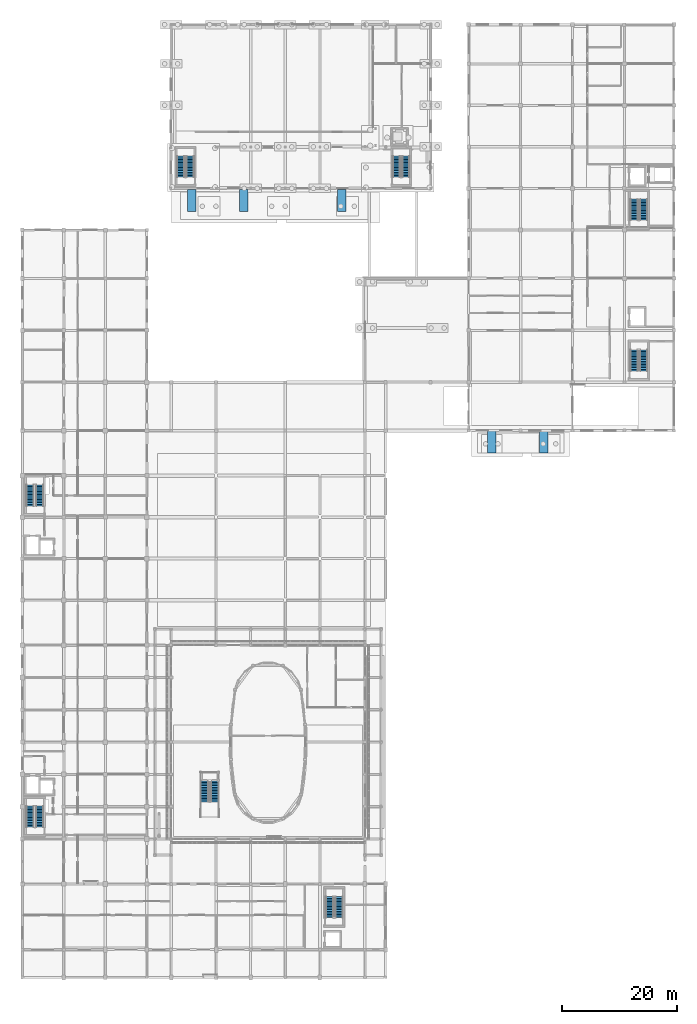
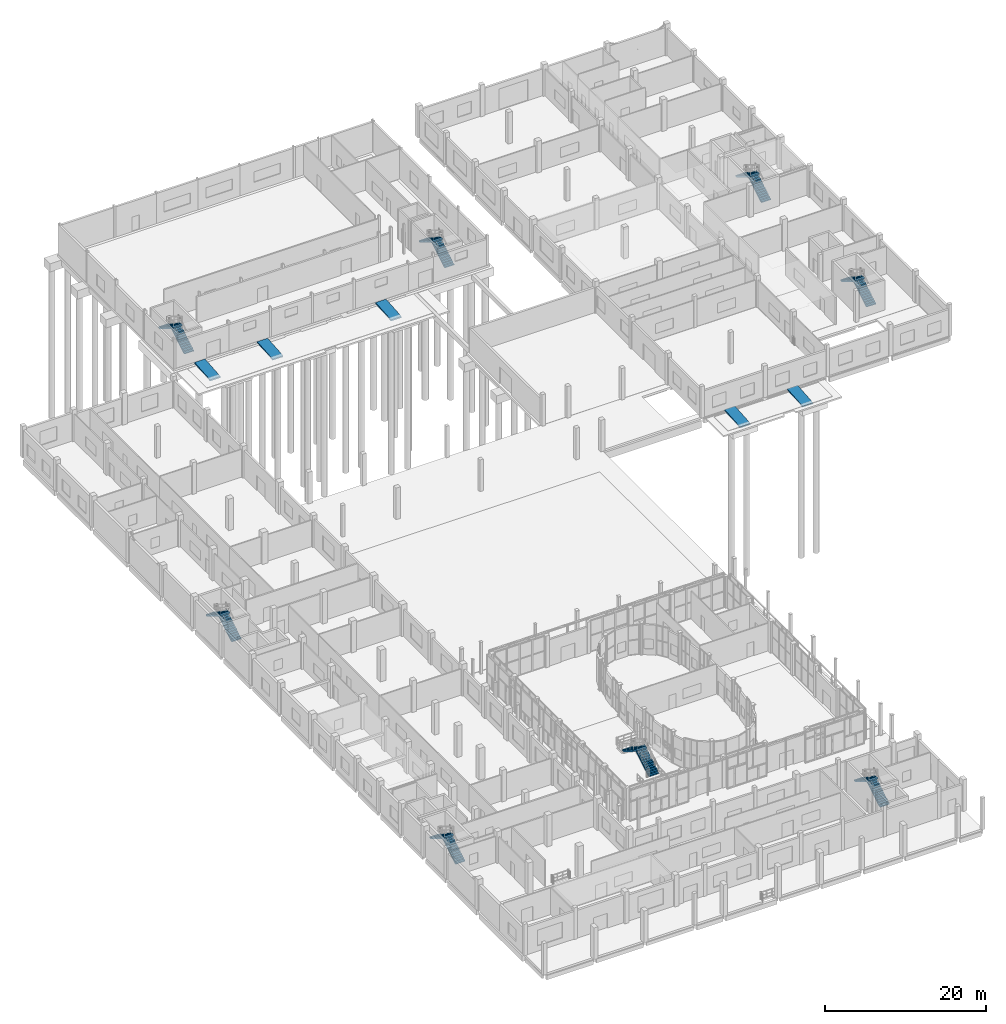
# One storey, part 79 of 91: 16 stair flights, 5 ramp flights, 13 elements without a shape of their own.
"""IFC4 building model written with IfcOpenShell, lengths in metres."""

from ifc_helpers import new_model, si_unit, direction, frame, origin, place, context, subcontext, project, spatial, polyline, outline, extrude, material, layer, layer_set, type_object, element, aggregate, save


model = new_model("IFC4")

# Units and contexts
model_context = context("Model", 3, precision=1e-05, world=origin(), true_north=direction((0.0, 1.0)))
body_context = subcontext(model_context, "Body", "Model", "MODEL_VIEW")
ifc_project = project(units=[si_unit("LENGTHUNIT", "METRE"), si_unit("AREAUNIT", "SQUARE_METRE"), si_unit("VOLUMEUNIT", "CUBIC_METRE"), si_unit("PLANEANGLEUNIT", "RADIAN"), si_unit("MASSUNIT", "GRAM", prefix="KILO")], contexts=[model_context])

# Site, building, storey
site_placement = place(None, origin())
site = spatial("IfcSite", under=ifc_project, at=site_placement, CompositionType="ELEMENT")
building_placement = place(site_placement, origin())
building = spatial("IfcBuilding", under=site, at=building_placement, Name="Vinh Khe Railworks Police Headquarters", CompositionType="ELEMENT")
storey_placement = place(building_placement, origin())
storey = spatial("IfcBuildingStorey", under=building, at=storey_placement, Name="L00", CompositionType="ELEMENT", Elevation=0.0)

# Stair, stair flights
ifc_material_1 = material(Name="Precast concrete C40/50 (B40)", Category="concrete")
stair_type_1 = type_object("IfcStairType", Name="ST-CORE-DOGLEG", PredefinedType="HALF_TURN_STAIR", material=ifc_material_1)
stair_1_placement = place(storey_placement, origin())
stair_1 = element("IfcStair", 1, at=stair_1_placement, inside=storey, type_object=stair_type_1, Name="L00 Escape Stair ST-01", PredefinedType="HALF_TURN_STAIR")
stair_flight_type_1 = type_object("IfcStairFlightType", Name="STF-PRECAST-1350", PredefinedType="STRAIGHT", material=ifc_material_1)
stair_flight_1_placement = place(storey_placement, frame((3.625, 27.25, 0.0), z_axis=(0.0, 0.0, 1.0), x_axis=(0.0, 1.0, 0.0)))
stair_flight_1 = element("IfcStairFlight", 2, at=stair_flight_1_placement, type_object=stair_flight_type_1, Name="ST-01 flight 1", NumberOfRisers=14, NumberOfTreads=13, PredefinedType="STRAIGHT", RiserHeight=0.171428571, TreadLength=0.28, context=body_context, shape_type="SweptSolid", body=[
    extrude(outline(polyline([(0.0, 0.0), (0.0, 0.17138671875), (0.280029296875, 0.17138671875), (0.280029296875, 0.3427734375), (0.56005859375, 0.3427734375), (0.56005859375, 0.514404296875), (0.840087890625, 0.514404296875), (0.840087890625, 0.685791015625), (1.1201171875, 0.685791015625), (1.1201171875, 0.857177734375), (1.39990234375, 0.857177734375), (1.39990234375, 1.028564453125), (1.679931640625, 1.028564453125), (1.679931640625, 1.199951171875), (1.9599609375, 1.199951171875), (1.9599609375, 1.371337890625), (2.239990234375, 1.371337890625), (2.239990234375, 1.54296875), (2.52001953125, 1.54296875), (2.52001953125, 1.71435546875), (2.800048828125, 1.71435546875), (2.800048828125, 1.8857421875), (3.080078125, 1.8857421875), (3.080078125, 2.05712890625), (3.360107421875, 2.05712890625), (3.360107421875, 2.228515625), (3.639892578125, 2.228515625), (3.639892578125, 2.39990234375), (3.639892578125, 2.052734375), (0.287109375, 0.0), (0.0, 0.0)])), frame((0.0, 0.675048828125, 0.0), z_axis=(0.0, -1.0, 0.0), x_axis=(1.0, 0.0, 0.0)), (0.0, 0.0, 1.0), 1.35009765625),
])
stair_flight_2_placement = place(storey_placement, frame((1.97509765625, 30.889892578125, 2.39990234375), z_axis=(0.0, 0.0, 1.0), x_axis=(0.0, -1.0, 0.0)))
stair_flight_2 = element("IfcStairFlight", 3, at=stair_flight_2_placement, type_object=stair_flight_type_1, Name="ST-01 flight 2", NumberOfRisers=14, NumberOfTreads=13, PredefinedType="STRAIGHT", RiserHeight=0.171428571, TreadLength=0.28, context=body_context, shape_type="SweptSolid", body=[
    extrude(outline(polyline([(0.0, 0.0), (0.0, 0.17138671875), (0.280029296875, 0.17138671875), (0.280029296875, 0.3427734375), (0.56005859375, 0.3427734375), (0.56005859375, 0.514404296875), (0.840087890625, 0.514404296875), (0.840087890625, 0.685791015625), (1.1201171875, 0.685791015625), (1.1201171875, 0.857177734375), (1.39990234375, 0.857177734375), (1.39990234375, 1.028564453125), (1.679931640625, 1.028564453125), (1.679931640625, 1.199951171875), (1.9599609375, 1.199951171875), (1.9599609375, 1.371337890625), (2.239990234375, 1.371337890625), (2.239990234375, 1.54296875), (2.52001953125, 1.54296875), (2.52001953125, 1.71435546875), (2.800048828125, 1.71435546875), (2.800048828125, 1.8857421875), (3.080078125, 1.8857421875), (3.080078125, 2.05712890625), (3.360107421875, 2.05712890625), (3.360107421875, 2.228515625), (3.639892578125, 2.228515625), (3.639892578125, 2.39990234375), (3.639892578125, 2.052734375), (0.287109375, 0.0), (0.0, 0.0)])), frame((0.0, 0.675048828125, 0.0), z_axis=(0.0, -1.0, 0.0), x_axis=(1.0, 0.0, 0.0)), (0.0, 0.0, 1.0), 1.35009765625),
])
aggregate(stair_1, [stair_flight_1, stair_flight_2])

stair_2_placement = place(storey_placement, origin())
stair_2 = element("IfcStair", 4, at=stair_2_placement, inside=storey, type_object=stair_type_1, Name="L00 Escape Stair ST-02", PredefinedType="HALF_TURN_STAIR")
stair_flight_3_placement = place(storey_placement, frame((3.625, 82.949951171875, 0.0), z_axis=(0.0, 0.0, 1.0), x_axis=(0.0, 1.0, 0.0)))
stair_flight_3 = element("IfcStairFlight", 5, at=stair_flight_3_placement, type_object=stair_flight_type_1, Name="ST-02 flight 1", NumberOfRisers=14, NumberOfTreads=13, PredefinedType="STRAIGHT", RiserHeight=0.171428571, TreadLength=0.28, context=body_context, shape_type="SweptSolid", body=[
    extrude(outline(polyline([(0.0, 0.0), (0.0, 0.17138671875), (0.280029296875, 0.17138671875), (0.280029296875, 0.3427734375), (0.56005859375, 0.3427734375), (0.56005859375, 0.514404296875), (0.840087890625, 0.514404296875), (0.840087890625, 0.685791015625), (1.1201171875, 0.685791015625), (1.1201171875, 0.857177734375), (1.39990234375, 0.857177734375), (1.39990234375, 1.028564453125), (1.679931640625, 1.028564453125), (1.679931640625, 1.199951171875), (1.9599609375, 1.199951171875), (1.9599609375, 1.371337890625), (2.239990234375, 1.371337890625), (2.239990234375, 1.54296875), (2.52001953125, 1.54296875), (2.52001953125, 1.71435546875), (2.800048828125, 1.71435546875), (2.800048828125, 1.8857421875), (3.080078125, 1.8857421875), (3.080078125, 2.05712890625), (3.360107421875, 2.05712890625), (3.360107421875, 2.228515625), (3.639892578125, 2.228515625), (3.639892578125, 2.39990234375), (3.639892578125, 2.052734375), (0.287109375, 0.0), (0.0, 0.0)])), frame((0.0, 0.675048828125, 0.0), z_axis=(0.0, -1.0, 0.0), x_axis=(1.0, 0.0, 0.0)), (0.0, 0.0, 1.0), 1.35009765625),
])
stair_flight_4_placement = place(storey_placement, frame((1.97509765625, 86.590087890625, 2.39990234375), z_axis=(0.0, 0.0, 1.0), x_axis=(0.0, -1.0, 0.0)))
stair_flight_4 = element("IfcStairFlight", 6, at=stair_flight_4_placement, type_object=stair_flight_type_1, Name="ST-02 flight 2", NumberOfRisers=14, NumberOfTreads=13, PredefinedType="STRAIGHT", RiserHeight=0.171428571, TreadLength=0.28, context=body_context, shape_type="SweptSolid", body=[
    extrude(outline(polyline([(0.0, 0.0), (0.0, 0.17138671875), (0.280029296875, 0.17138671875), (0.280029296875, 0.3427734375), (0.56005859375, 0.3427734375), (0.56005859375, 0.514404296875), (0.840087890625, 0.514404296875), (0.840087890625, 0.685791015625), (1.1201171875, 0.685791015625), (1.1201171875, 0.857177734375), (1.39990234375, 0.857177734375), (1.39990234375, 1.028564453125), (1.679931640625, 1.028564453125), (1.679931640625, 1.199951171875), (1.9599609375, 1.199951171875), (1.9599609375, 1.371337890625), (2.239990234375, 1.371337890625), (2.239990234375, 1.54296875), (2.52001953125, 1.54296875), (2.52001953125, 1.71435546875), (2.800048828125, 1.71435546875), (2.800048828125, 1.8857421875), (3.080078125, 1.8857421875), (3.080078125, 2.05712890625), (3.360107421875, 2.05712890625), (3.360107421875, 2.228515625), (3.639892578125, 2.228515625), (3.639892578125, 2.39990234375), (3.639892578125, 2.052734375), (0.287109375, 0.0), (0.0, 0.0)])), frame((0.0, 0.675048828125, 0.0), z_axis=(0.0, -1.0, 0.0), x_axis=(1.0, 0.0, 0.0)), (0.0, 0.0, 1.0), 1.35009765625),
])
aggregate(stair_2, [stair_flight_3, stair_flight_4])

stair_3_placement = place(storey_placement, origin())
stair_3 = element("IfcStair", 7, at=stair_3_placement, inside=storey, type_object=stair_type_1, Name="L00 Escape Stair ST-03", PredefinedType="HALF_TURN_STAIR")
stair_flight_5_placement = place(storey_placement, frame((108.324951171875, 132.5, 0.0), z_axis=(0.0, 0.0, 1.0), x_axis=(0.0, 1.0, 0.0)))
stair_flight_5 = element("IfcStairFlight", 8, at=stair_flight_5_placement, type_object=stair_flight_type_1, Name="ST-03 flight 1", NumberOfRisers=14, NumberOfTreads=13, PredefinedType="STRAIGHT", RiserHeight=0.171428571, TreadLength=0.28, context=body_context, shape_type="SweptSolid", body=[
    extrude(outline(polyline([(0.0, 0.0), (0.0, 0.17138671875), (0.280029296875, 0.17138671875), (0.280029296875, 0.3427734375), (0.56005859375, 0.3427734375), (0.56005859375, 0.514404296875), (0.840087890625, 0.514404296875), (0.840087890625, 0.685791015625), (1.1201171875, 0.685791015625), (1.1201171875, 0.857177734375), (1.39990234375, 0.857177734375), (1.39990234375, 1.028564453125), (1.679931640625, 1.028564453125), (1.679931640625, 1.199951171875), (1.9599609375, 1.199951171875), (1.9599609375, 1.371337890625), (2.239990234375, 1.371337890625), (2.239990234375, 1.54296875), (2.52001953125, 1.54296875), (2.52001953125, 1.71435546875), (2.800048828125, 1.71435546875), (2.800048828125, 1.8857421875), (3.080078125, 1.8857421875), (3.080078125, 2.05712890625), (3.360107421875, 2.05712890625), (3.360107421875, 2.228515625), (3.639892578125, 2.228515625), (3.639892578125, 2.39990234375), (3.639892578125, 2.052734375), (0.287109375, 0.0), (0.0, 0.0)])), frame((0.0, 0.675048828125, 0.0), z_axis=(0.0, -1.0, 0.0), x_axis=(1.0, 0.0, 0.0)), (0.0, 0.0, 1.0), 1.35009765625),
])
stair_flight_6_placement = place(storey_placement, frame((106.675048828125, 136.139892578125, 2.39990234375), z_axis=(0.0, 0.0, 1.0), x_axis=(0.0, -1.0, 0.0)))
stair_flight_6 = element("IfcStairFlight", 9, at=stair_flight_6_placement, type_object=stair_flight_type_1, Name="ST-03 flight 2", NumberOfRisers=14, NumberOfTreads=13, PredefinedType="STRAIGHT", RiserHeight=0.171428571, TreadLength=0.28, context=body_context, shape_type="SweptSolid", body=[
    extrude(outline(polyline([(0.0, 0.0), (0.0, 0.17138671875), (0.280029296875, 0.17138671875), (0.280029296875, 0.3427734375), (0.56005859375, 0.3427734375), (0.56005859375, 0.514404296875), (0.840087890625, 0.514404296875), (0.840087890625, 0.685791015625), (1.1201171875, 0.685791015625), (1.1201171875, 0.857177734375), (1.39990234375, 0.857177734375), (1.39990234375, 1.028564453125), (1.679931640625, 1.028564453125), (1.679931640625, 1.199951171875), (1.9599609375, 1.199951171875), (1.9599609375, 1.371337890625), (2.239990234375, 1.371337890625), (2.239990234375, 1.54296875), (2.52001953125, 1.54296875), (2.52001953125, 1.71435546875), (2.800048828125, 1.71435546875), (2.800048828125, 1.8857421875), (3.080078125, 1.8857421875), (3.080078125, 2.05712890625), (3.360107421875, 2.05712890625), (3.360107421875, 2.228515625), (3.639892578125, 2.228515625), (3.639892578125, 2.39990234375), (3.639892578125, 2.052734375), (0.287109375, 0.0), (0.0, 0.0)])), frame((0.0, 0.675048828125, 0.0), z_axis=(0.0, -1.0, 0.0), x_axis=(1.0, 0.0, 0.0)), (0.0, 0.0, 1.0), 1.35009765625),
])
aggregate(stair_3, [stair_flight_5, stair_flight_6])

stair_4_placement = place(storey_placement, origin())
stair_4 = element("IfcStair", 10, at=stair_4_placement, inside=storey, type_object=stair_type_1, Name="L00 Escape Stair ST-04", PredefinedType="HALF_TURN_STAIR")
stair_flight_7_placement = place(storey_placement, frame((108.324951171875, 106.35009765625, 0.0), z_axis=(0.0, 0.0, 1.0), x_axis=(0.0, 1.0, 0.0)))
stair_flight_7 = element("IfcStairFlight", 11, at=stair_flight_7_placement, type_object=stair_flight_type_1, Name="ST-04 flight 1", NumberOfRisers=14, NumberOfTreads=13, PredefinedType="STRAIGHT", RiserHeight=0.171428571, TreadLength=0.28, context=body_context, shape_type="SweptSolid", body=[
    extrude(outline(polyline([(0.0, 0.0), (0.0, 0.17138671875), (0.280029296875, 0.17138671875), (0.280029296875, 0.3427734375), (0.56005859375, 0.3427734375), (0.56005859375, 0.514404296875), (0.840087890625, 0.514404296875), (0.840087890625, 0.685791015625), (1.1201171875, 0.685791015625), (1.1201171875, 0.857177734375), (1.39990234375, 0.857177734375), (1.39990234375, 1.028564453125), (1.679931640625, 1.028564453125), (1.679931640625, 1.199951171875), (1.9599609375, 1.199951171875), (1.9599609375, 1.371337890625), (2.239990234375, 1.371337890625), (2.239990234375, 1.54296875), (2.52001953125, 1.54296875), (2.52001953125, 1.71435546875), (2.800048828125, 1.71435546875), (2.800048828125, 1.8857421875), (3.080078125, 1.8857421875), (3.080078125, 2.05712890625), (3.360107421875, 2.05712890625), (3.360107421875, 2.228515625), (3.639892578125, 2.228515625), (3.639892578125, 2.39990234375), (3.639892578125, 2.052734375), (0.287109375, 0.0), (0.0, 0.0)])), frame((0.0, 0.675048828125, 0.0), z_axis=(0.0, -1.0, 0.0), x_axis=(1.0, 0.0, 0.0)), (0.0, 0.0, 1.0), 1.35009765625),
])
stair_flight_8_placement = place(storey_placement, frame((106.675048828125, 109.989990234375, 2.39990234375), z_axis=(0.0, 0.0, 1.0), x_axis=(0.0, -1.0, 0.0)))
stair_flight_8 = element("IfcStairFlight", 12, at=stair_flight_8_placement, type_object=stair_flight_type_1, Name="ST-04 flight 2", NumberOfRisers=14, NumberOfTreads=13, PredefinedType="STRAIGHT", RiserHeight=0.171428571, TreadLength=0.28, context=body_context, shape_type="SweptSolid", body=[
    extrude(outline(polyline([(0.0, 0.0), (0.0, 0.17138671875), (0.280029296875, 0.17138671875), (0.280029296875, 0.3427734375), (0.56005859375, 0.3427734375), (0.56005859375, 0.514404296875), (0.840087890625, 0.514404296875), (0.840087890625, 0.685791015625), (1.1201171875, 0.685791015625), (1.1201171875, 0.857177734375), (1.39990234375, 0.857177734375), (1.39990234375, 1.028564453125), (1.679931640625, 1.028564453125), (1.679931640625, 1.199951171875), (1.9599609375, 1.199951171875), (1.9599609375, 1.371337890625), (2.239990234375, 1.371337890625), (2.239990234375, 1.54296875), (2.52001953125, 1.54296875), (2.52001953125, 1.71435546875), (2.800048828125, 1.71435546875), (2.800048828125, 1.8857421875), (3.080078125, 1.8857421875), (3.080078125, 2.05712890625), (3.360107421875, 2.05712890625), (3.360107421875, 2.228515625), (3.639892578125, 2.228515625), (3.639892578125, 2.39990234375), (3.639892578125, 2.052734375), (0.287109375, 0.0), (0.0, 0.0)])), frame((0.0, 0.675048828125, 0.0), z_axis=(0.0, -1.0, 0.0), x_axis=(1.0, 0.0, 0.0)), (0.0, 0.0, 1.0), 1.35009765625),
])
aggregate(stair_4, [stair_flight_7, stair_flight_8])

stair_5_placement = place(storey_placement, origin())
stair_5 = element("IfcStair", 13, at=stair_5_placement, inside=storey, type_object=stair_type_1, Name="L00 Escape Stair ST-05", PredefinedType="HALF_TURN_STAIR")
stair_flight_9_placement = place(storey_placement, frame((55.52490234375, 11.550048828125, 0.0), z_axis=(0.0, 0.0, 1.0), x_axis=(0.0, 1.0, 0.0)))
stair_flight_9 = element("IfcStairFlight", 14, at=stair_flight_9_placement, type_object=stair_flight_type_1, Name="ST-05 flight 1", NumberOfRisers=14, NumberOfTreads=13, PredefinedType="STRAIGHT", RiserHeight=0.171428571, TreadLength=0.28, context=body_context, shape_type="SweptSolid", body=[
    extrude(outline(polyline([(0.0, 0.0), (0.0, 0.17138671875), (0.280029296875, 0.17138671875), (0.280029296875, 0.3427734375), (0.56005859375, 0.3427734375), (0.56005859375, 0.514404296875), (0.840087890625, 0.514404296875), (0.840087890625, 0.685791015625), (1.1201171875, 0.685791015625), (1.1201171875, 0.857177734375), (1.39990234375, 0.857177734375), (1.39990234375, 1.028564453125), (1.679931640625, 1.028564453125), (1.679931640625, 1.199951171875), (1.9599609375, 1.199951171875), (1.9599609375, 1.371337890625), (2.239990234375, 1.371337890625), (2.239990234375, 1.54296875), (2.52001953125, 1.54296875), (2.52001953125, 1.71435546875), (2.800048828125, 1.71435546875), (2.800048828125, 1.8857421875), (3.080078125, 1.8857421875), (3.080078125, 2.05712890625), (3.360107421875, 2.05712890625), (3.360107421875, 2.228515625), (3.639892578125, 2.228515625), (3.639892578125, 2.39990234375), (3.639892578125, 2.052734375), (0.287109375, 0.0), (0.0, 0.0)])), frame((0.0, 0.675048828125, 0.0), z_axis=(0.0, -1.0, 0.0), x_axis=(1.0, 0.0, 0.0)), (0.0, 0.0, 1.0), 1.35009765625),
])
stair_flight_10_placement = place(storey_placement, frame((53.875, 15.18994140625, 2.39990234375), z_axis=(0.0, 0.0, 1.0), x_axis=(0.0, -1.0, 0.0)))
stair_flight_10 = element("IfcStairFlight", 15, at=stair_flight_10_placement, type_object=stair_flight_type_1, Name="ST-05 flight 2", NumberOfRisers=14, NumberOfTreads=13, PredefinedType="STRAIGHT", RiserHeight=0.171428571, TreadLength=0.28, context=body_context, shape_type="SweptSolid", body=[
    extrude(outline(polyline([(0.0, 0.0), (0.0, 0.17138671875), (0.280029296875, 0.17138671875), (0.280029296875, 0.3427734375), (0.56005859375, 0.3427734375), (0.56005859375, 0.514404296875), (0.840087890625, 0.514404296875), (0.840087890625, 0.685791015625), (1.1201171875, 0.685791015625), (1.1201171875, 0.857177734375), (1.39990234375, 0.857177734375), (1.39990234375, 1.028564453125), (1.679931640625, 1.028564453125), (1.679931640625, 1.199951171875), (1.9599609375, 1.199951171875), (1.9599609375, 1.371337890625), (2.239990234375, 1.371337890625), (2.239990234375, 1.54296875), (2.52001953125, 1.54296875), (2.52001953125, 1.71435546875), (2.800048828125, 1.71435546875), (2.800048828125, 1.8857421875), (3.080078125, 1.8857421875), (3.080078125, 2.05712890625), (3.360107421875, 2.05712890625), (3.360107421875, 2.228515625), (3.639892578125, 2.228515625), (3.639892578125, 2.39990234375), (3.639892578125, 2.052734375), (0.287109375, 0.0), (0.0, 0.0)])), frame((0.0, 0.675048828125, 0.0), z_axis=(0.0, -1.0, 0.0), x_axis=(1.0, 0.0, 0.0)), (0.0, 0.0, 1.0), 1.35009765625),
])
aggregate(stair_5, [stair_flight_9, stair_flight_10])

stair_6_placement = place(storey_placement, origin())
stair_6 = element("IfcStair", 16, at=stair_6_placement, inside=storey, type_object=stair_type_1, Name="L00 Escape Stair ST-06", PredefinedType="HALF_TURN_STAIR")
stair_flight_11_placement = place(storey_placement, frame((67.125, 139.949951171875, 0.0), z_axis=(0.0, 0.0, 1.0), x_axis=(0.0, 1.0, 0.0)))
stair_flight_11 = element("IfcStairFlight", 17, at=stair_flight_11_placement, type_object=stair_flight_type_1, Name="ST-06 flight 1", NumberOfRisers=14, NumberOfTreads=13, PredefinedType="STRAIGHT", RiserHeight=0.171428571, TreadLength=0.28, context=body_context, shape_type="SweptSolid", body=[
    extrude(outline(polyline([(0.0, 0.0), (0.0, 0.17138671875), (0.280029296875, 0.17138671875), (0.280029296875, 0.3427734375), (0.56005859375, 0.3427734375), (0.56005859375, 0.514404296875), (0.840087890625, 0.514404296875), (0.840087890625, 0.685791015625), (1.1201171875, 0.685791015625), (1.1201171875, 0.857177734375), (1.39990234375, 0.857177734375), (1.39990234375, 1.028564453125), (1.679931640625, 1.028564453125), (1.679931640625, 1.199951171875), (1.9599609375, 1.199951171875), (1.9599609375, 1.371337890625), (2.239990234375, 1.371337890625), (2.239990234375, 1.54296875), (2.52001953125, 1.54296875), (2.52001953125, 1.71435546875), (2.800048828125, 1.71435546875), (2.800048828125, 1.8857421875), (3.080078125, 1.8857421875), (3.080078125, 2.05712890625), (3.360107421875, 2.05712890625), (3.360107421875, 2.228515625), (3.639892578125, 2.228515625), (3.639892578125, 2.39990234375), (3.639892578125, 2.052734375), (0.287109375, 0.0), (0.0, 0.0)])), frame((0.0, 0.675048828125, 0.0), z_axis=(0.0, -1.0, 0.0), x_axis=(1.0, 0.0, 0.0)), (0.0, 0.0, 1.0), 1.35009765625),
])
stair_flight_12_placement = place(storey_placement, frame((65.47509765625, 143.590087890625, 2.39990234375), z_axis=(0.0, 0.0, 1.0), x_axis=(0.0, -1.0, 0.0)))
stair_flight_12 = element("IfcStairFlight", 18, at=stair_flight_12_placement, type_object=stair_flight_type_1, Name="ST-06 flight 2", NumberOfRisers=14, NumberOfTreads=13, PredefinedType="STRAIGHT", RiserHeight=0.171428571, TreadLength=0.28, context=body_context, shape_type="SweptSolid", body=[
    extrude(outline(polyline([(0.0, 0.0), (0.0, 0.17138671875), (0.280029296875, 0.17138671875), (0.280029296875, 0.3427734375), (0.56005859375, 0.3427734375), (0.56005859375, 0.514404296875), (0.840087890625, 0.514404296875), (0.840087890625, 0.685791015625), (1.1201171875, 0.685791015625), (1.1201171875, 0.857177734375), (1.39990234375, 0.857177734375), (1.39990234375, 1.028564453125), (1.679931640625, 1.028564453125), (1.679931640625, 1.199951171875), (1.9599609375, 1.199951171875), (1.9599609375, 1.371337890625), (2.239990234375, 1.371337890625), (2.239990234375, 1.54296875), (2.52001953125, 1.54296875), (2.52001953125, 1.71435546875), (2.800048828125, 1.71435546875), (2.800048828125, 1.8857421875), (3.080078125, 1.8857421875), (3.080078125, 2.05712890625), (3.360107421875, 2.05712890625), (3.360107421875, 2.228515625), (3.639892578125, 2.228515625), (3.639892578125, 2.39990234375), (3.639892578125, 2.052734375), (0.287109375, 0.0), (0.0, 0.0)])), frame((0.0, 0.675048828125, 0.0), z_axis=(0.0, -1.0, 0.0), x_axis=(1.0, 0.0, 0.0)), (0.0, 0.0, 1.0), 1.35009765625),
])
aggregate(stair_6, [stair_flight_11, stair_flight_12])

stair_7_placement = place(storey_placement, origin())
stair_7 = element("IfcStair", 19, at=stair_7_placement, inside=storey, type_object=stair_type_1, Name="L00 Escape Stair ST-07", PredefinedType="HALF_TURN_STAIR")
stair_flight_13_placement = place(storey_placement, frame((29.72509765625, 139.949951171875, 0.0), z_axis=(0.0, 0.0, 1.0), x_axis=(0.0, 1.0, 0.0)))
stair_flight_13 = element("IfcStairFlight", 20, at=stair_flight_13_placement, type_object=stair_flight_type_1, Name="ST-07 flight 1", NumberOfRisers=14, NumberOfTreads=13, PredefinedType="STRAIGHT", RiserHeight=0.171428571, TreadLength=0.28, context=body_context, shape_type="SweptSolid", body=[
    extrude(outline(polyline([(0.0, 0.0), (0.0, 0.17138671875), (0.280029296875, 0.17138671875), (0.280029296875, 0.3427734375), (0.56005859375, 0.3427734375), (0.56005859375, 0.514404296875), (0.840087890625, 0.514404296875), (0.840087890625, 0.685791015625), (1.1201171875, 0.685791015625), (1.1201171875, 0.857177734375), (1.39990234375, 0.857177734375), (1.39990234375, 1.028564453125), (1.679931640625, 1.028564453125), (1.679931640625, 1.199951171875), (1.9599609375, 1.199951171875), (1.9599609375, 1.371337890625), (2.239990234375, 1.371337890625), (2.239990234375, 1.54296875), (2.52001953125, 1.54296875), (2.52001953125, 1.71435546875), (2.800048828125, 1.71435546875), (2.800048828125, 1.8857421875), (3.080078125, 1.8857421875), (3.080078125, 2.05712890625), (3.360107421875, 2.05712890625), (3.360107421875, 2.228515625), (3.639892578125, 2.228515625), (3.639892578125, 2.39990234375), (3.639892578125, 2.052734375), (0.287109375, 0.0), (0.0, 0.0)])), frame((0.0, 0.675048828125, 0.0), z_axis=(0.0, -1.0, 0.0), x_axis=(1.0, 0.0, 0.0)), (0.0, 0.0, 1.0), 1.35009765625),
])
stair_flight_14_placement = place(storey_placement, frame((28.074951171875, 143.590087890625, 2.39990234375), z_axis=(0.0, 0.0, 1.0), x_axis=(0.0, -1.0, 0.0)))
stair_flight_14 = element("IfcStairFlight", 21, at=stair_flight_14_placement, type_object=stair_flight_type_1, Name="ST-07 flight 2", NumberOfRisers=14, NumberOfTreads=13, PredefinedType="STRAIGHT", RiserHeight=0.171428571, TreadLength=0.28, context=body_context, shape_type="SweptSolid", body=[
    extrude(outline(polyline([(0.0, 0.0), (0.0, 0.17138671875), (0.280029296875, 0.17138671875), (0.280029296875, 0.3427734375), (0.56005859375, 0.3427734375), (0.56005859375, 0.514404296875), (0.840087890625, 0.514404296875), (0.840087890625, 0.685791015625), (1.1201171875, 0.685791015625), (1.1201171875, 0.857177734375), (1.39990234375, 0.857177734375), (1.39990234375, 1.028564453125), (1.679931640625, 1.028564453125), (1.679931640625, 1.199951171875), (1.9599609375, 1.199951171875), (1.9599609375, 1.371337890625), (2.239990234375, 1.371337890625), (2.239990234375, 1.54296875), (2.52001953125, 1.54296875), (2.52001953125, 1.71435546875), (2.800048828125, 1.71435546875), (2.800048828125, 1.8857421875), (3.080078125, 1.8857421875), (3.080078125, 2.05712890625), (3.360107421875, 2.05712890625), (3.360107421875, 2.228515625), (3.639892578125, 2.228515625), (3.639892578125, 2.39990234375), (3.639892578125, 2.052734375), (0.287109375, 0.0), (0.0, 0.0)])), frame((0.0, 0.675048828125, 0.0), z_axis=(0.0, -1.0, 0.0), x_axis=(1.0, 0.0, 0.0)), (0.0, 0.0, 1.0), 1.35009765625),
])
aggregate(stair_7, [stair_flight_13, stair_flight_14])

ifc_material_2 = material(Name="Steel S355JR", Category="steel")
stair_type_2 = type_object("IfcStairType", Name="ST-HALL-FEATURE", PredefinedType="HALF_TURN_STAIR", material=ifc_material_2)
stair_8_placement = place(storey_placement, origin())
stair_8 = element("IfcStair", 22, at=stair_8_placement, inside=storey, type_object=stair_type_2, Name="L00 Concourse Feature Stair ST-08", PredefinedType="HALF_TURN_STAIR")
stair_flight_type_2 = type_object("IfcStairFlightType", Name="STF-STEEL-1450", PredefinedType="STRAIGHT", material=ifc_material_2)
stair_flight_15_placement = place(storey_placement, frame((33.97509765625, 31.64990234375, 0.0), z_axis=(0.0, 0.0, 1.0), x_axis=(0.0, 1.0, 0.0)))
stair_flight_15 = element("IfcStairFlight", 23, at=stair_flight_15_placement, type_object=stair_flight_type_2, Name="ST-08 flight 1", NumberOfRisers=14, NumberOfTreads=13, PredefinedType="STRAIGHT", RiserHeight=0.171428571, TreadLength=0.28, context=body_context, shape_type="SweptSolid", body=[
    extrude(outline(polyline([(0.0, 0.0), (0.0, 0.17138671875), (0.280029296875, 0.17138671875), (0.280029296875, 0.3427734375), (0.56005859375, 0.3427734375), (0.56005859375, 0.514404296875), (0.840087890625, 0.514404296875), (0.840087890625, 0.685791015625), (1.1201171875, 0.685791015625), (1.1201171875, 0.857177734375), (1.39990234375, 0.857177734375), (1.39990234375, 1.028564453125), (1.679931640625, 1.028564453125), (1.679931640625, 1.199951171875), (1.9599609375, 1.199951171875), (1.9599609375, 1.371337890625), (2.239990234375, 1.371337890625), (2.239990234375, 1.54296875), (2.52001953125, 1.54296875), (2.52001953125, 1.71435546875), (2.800048828125, 1.71435546875), (2.800048828125, 1.8857421875), (3.080078125, 1.8857421875), (3.080078125, 2.05712890625), (3.360107421875, 2.05712890625), (3.360107421875, 2.228515625), (3.639892578125, 2.228515625), (3.639892578125, 2.39990234375), (3.639892578125, 2.052734375), (0.287109375, 0.0), (0.0, 0.0)])), frame((0.0, 0.72509765625, 0.0), z_axis=(0.0, -1.0, 0.0), x_axis=(1.0, 0.0, 0.0)), (0.0, 0.0, 1.0), 1.449951171875),
])
stair_flight_16_placement = place(storey_placement, frame((32.22509765625, 35.2900390625, 2.39990234375), z_axis=(0.0, 0.0, 1.0), x_axis=(0.0, -1.0, 0.0)))
stair_flight_16 = element("IfcStairFlight", 24, at=stair_flight_16_placement, type_object=stair_flight_type_2, Name="ST-08 flight 2", NumberOfRisers=14, NumberOfTreads=13, PredefinedType="STRAIGHT", RiserHeight=0.171428571, TreadLength=0.28, context=body_context, shape_type="SweptSolid", body=[
    extrude(outline(polyline([(0.0, 0.0), (0.0, 0.17138671875), (0.280029296875, 0.17138671875), (0.280029296875, 0.3427734375), (0.56005859375, 0.3427734375), (0.56005859375, 0.514404296875), (0.840087890625, 0.514404296875), (0.840087890625, 0.685791015625), (1.1201171875, 0.685791015625), (1.1201171875, 0.857177734375), (1.39990234375, 0.857177734375), (1.39990234375, 1.028564453125), (1.679931640625, 1.028564453125), (1.679931640625, 1.199951171875), (1.9599609375, 1.199951171875), (1.9599609375, 1.371337890625), (2.239990234375, 1.371337890625), (2.239990234375, 1.54296875), (2.52001953125, 1.54296875), (2.52001953125, 1.71435546875), (2.800048828125, 1.71435546875), (2.800048828125, 1.8857421875), (3.080078125, 1.8857421875), (3.080078125, 2.05712890625), (3.360107421875, 2.05712890625), (3.360107421875, 2.228515625), (3.639892578125, 2.228515625), (3.639892578125, 2.39990234375), (3.639892578125, 2.052734375), (0.287109375, 0.0), (0.0, 0.0)])), frame((0.0, 0.72509765625, 0.0), z_axis=(0.0, -1.0, 0.0), x_axis=(1.0, 0.0, 0.0)), (0.0, 0.0, 1.0), 1.449951171875),
])
aggregate(stair_8, [stair_flight_15, stair_flight_16])

# Ramp, ramp flight
ifc_material_3 = material(Name="Concrete C35/45 (B35)", Category="concrete")
ramp_type = type_object("IfcRampType", Name="Pedestrian Access Ramp Assembly", PredefinedType="STRAIGHT_RUN_RAMP", material=ifc_material_3)
ramp_1_placement = place(storey_placement, origin())
ramp_1 = element("IfcRamp", 25, at=ramp_1_placement, inside=storey, type_object=ramp_type, Name="Pedestrian Access Ramp RP-02", PredefinedType="STRAIGHT_RUN_RAMP")
ifc_layer = layer(ifc_material_3, 0.199951171875)
ifc_layer_set = layer_set([ifc_layer], Name="Concrete C35/45 (B35)")
ramp_flight_type = type_object("IfcRampFlightType", Name="Pedestrian Ramp Flight 200", PredefinedType="STRAIGHT", material=ifc_layer_set)
ramp_flight_1_placement = place(storey_placement, frame((30.0, 133.9599609375, -0.320068359375), z_axis=(0.0, 0.0, 1.0), x_axis=(0.0, 1.0, 0.0)))
ramp_flight_1 = element("IfcRampFlight", 26, at=ramp_flight_1_placement, type_object=ramp_flight_type, Name="Pedestrian Access Ramp RP-02 Flight", PredefinedType="STRAIGHT", context=body_context, shape_type="SweptSolid", body=[
    extrude(outline(polyline([(0.0, -0.199951171875), (3.840087890625, 0.1201171875), (3.840087890625, 0.320068359375), (0.0, 0.0), (0.0, -0.199951171875)])), frame((0.0, 0.75, 0.0), z_axis=(0.0, -1.0, 0.0), x_axis=(1.0, 0.0, 0.0)), (0.0, 0.0, 1.0), 1.5),
])
aggregate(ramp_1, [ramp_flight_1])

ramp_2_placement = place(storey_placement, origin())
ramp_2 = element("IfcRamp", 27, at=ramp_2_placement, inside=storey, type_object=ramp_type, Name="Pedestrian Access Ramp RP-03", PredefinedType="STRAIGHT_RUN_RAMP")
ramp_flight_2_placement = place(storey_placement, frame((39.0, 133.9599609375, -0.320068359375), z_axis=(0.0, 0.0, 1.0), x_axis=(0.0, 1.0, 0.0)))
ramp_flight_2 = element("IfcRampFlight", 28, at=ramp_flight_2_placement, type_object=ramp_flight_type, Name="Pedestrian Access Ramp RP-03 Flight", PredefinedType="STRAIGHT", context=body_context, shape_type="SweptSolid", body=[
    extrude(outline(polyline([(0.0, -0.199951171875), (3.840087890625, 0.1201171875), (3.840087890625, 0.320068359375), (0.0, 0.0), (0.0, -0.199951171875)])), frame((0.0, 0.75, 0.0), z_axis=(0.0, -1.0, 0.0), x_axis=(1.0, 0.0, 0.0)), (0.0, 0.0, 1.0), 1.5),
])
aggregate(ramp_2, [ramp_flight_2])

ramp_3_placement = place(storey_placement, origin())
ramp_3 = element("IfcRamp", 29, at=ramp_3_placement, inside=storey, type_object=ramp_type, Name="Pedestrian Access Ramp RP-04", PredefinedType="STRAIGHT_RUN_RAMP")
ramp_flight_3_placement = place(storey_placement, frame((56.0, 133.9599609375, -0.320068359375), z_axis=(0.0, 0.0, 1.0), x_axis=(0.0, 1.0, 0.0)))
ramp_flight_3 = element("IfcRampFlight", 30, at=ramp_flight_3_placement, type_object=ramp_flight_type, Name="Pedestrian Access Ramp RP-04 Flight", PredefinedType="STRAIGHT", context=body_context, shape_type="SweptSolid", body=[
    extrude(outline(polyline([(0.0, -0.199951171875), (3.840087890625, 0.1201171875), (3.840087890625, 0.320068359375), (0.0, 0.0), (0.0, -0.199951171875)])), frame((0.0, 0.75, 0.0), z_axis=(0.0, -1.0, 0.0), x_axis=(1.0, 0.0, 0.0)), (0.0, 0.0, 1.0), 1.5),
])
aggregate(ramp_3, [ramp_flight_3])

ramp_4_placement = place(storey_placement, origin())
ramp_4 = element("IfcRamp", 31, at=ramp_4_placement, inside=storey, type_object=ramp_type, Name="Pedestrian Access Ramp RP-05", PredefinedType="STRAIGHT_RUN_RAMP")
ramp_flight_4_placement = place(storey_placement, frame((82.0, 92.159912109375, -0.320068359375), z_axis=(0.0, 0.0, 1.0), x_axis=(0.0, 1.0, 0.0)))
ramp_flight_4 = element("IfcRampFlight", 32, at=ramp_flight_4_placement, type_object=ramp_flight_type, Name="Pedestrian Access Ramp RP-05 Flight", PredefinedType="STRAIGHT", context=body_context, shape_type="SweptSolid", body=[
    extrude(outline(polyline([(0.0, -0.199951171875), (3.840087890625, 0.1201171875), (3.840087890625, 0.320068359375), (0.0, 0.0), (0.0, -0.199951171875)])), frame((0.0, 0.75, 0.0), z_axis=(0.0, -1.0, 0.0), x_axis=(1.0, 0.0, 0.0)), (0.0, 0.0, 1.0), 1.5),
])
aggregate(ramp_4, [ramp_flight_4])

ramp_5_placement = place(storey_placement, origin())
ramp_5 = element("IfcRamp", 33, at=ramp_5_placement, inside=storey, type_object=ramp_type, Name="Pedestrian Access Ramp RP-06", PredefinedType="STRAIGHT_RUN_RAMP")
ramp_flight_5_placement = place(storey_placement, frame((91.0, 92.159912109375, -0.320068359375), z_axis=(0.0, 0.0, 1.0), x_axis=(0.0, 1.0, 0.0)))
ramp_flight_5 = element("IfcRampFlight", 34, at=ramp_flight_5_placement, type_object=ramp_flight_type, Name="Pedestrian Access Ramp RP-06 Flight", PredefinedType="STRAIGHT", context=body_context, shape_type="SweptSolid", body=[
    extrude(outline(polyline([(0.0, -0.199951171875), (3.840087890625, 0.1201171875), (3.840087890625, 0.320068359375), (0.0, 0.0), (0.0, -0.199951171875)])), frame((0.0, 0.75, 0.0), z_axis=(0.0, -1.0, 0.0), x_axis=(1.0, 0.0, 0.0)), (0.0, 0.0, 1.0), 1.5),
])
aggregate(ramp_5, [ramp_flight_5])

save(model, "model.ifc")
